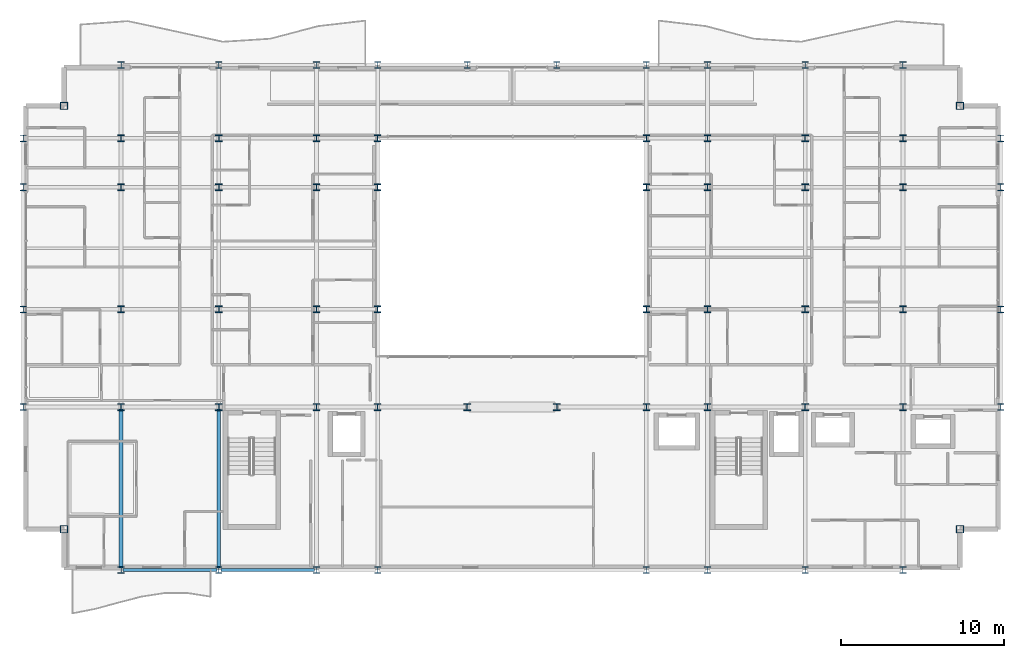
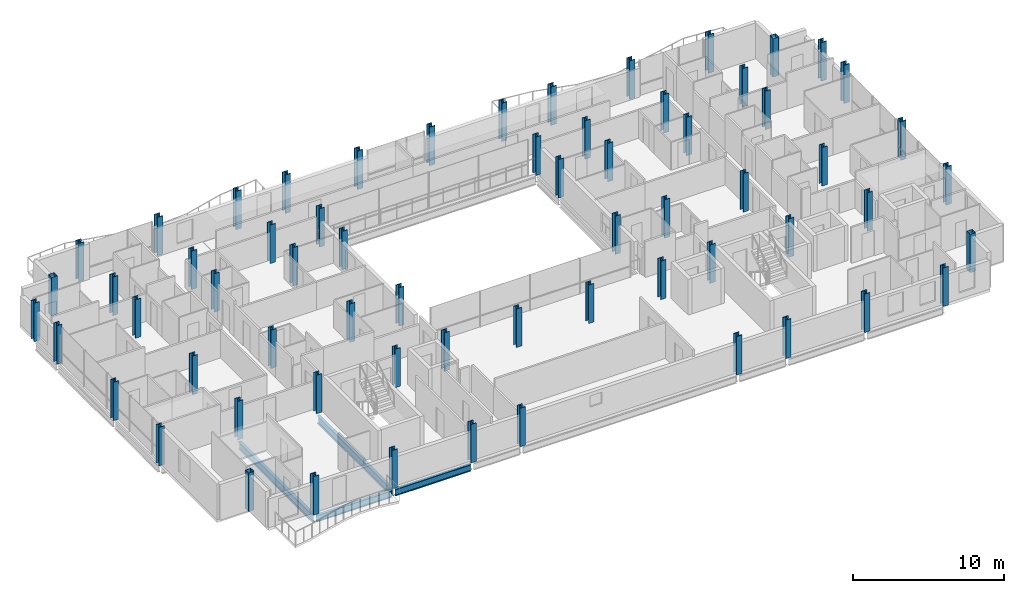
# One storey, part 1 of 41: 64 columns, 4 beams.
"""IFC4 building model written with IfcOpenShell, lengths in metres."""

from ifc_helpers import new_model, si_unit, direction, frame, origin, origin_2d, place, context, subcontext, project, spatial, hollow_rectangle, i_section, extrude, material, material_profile, profile_set, type_object, element, save


model = new_model("IFC4")

# Units and contexts
model_context = context("Model", 3, precision=1e-05, world=origin(), true_north=direction((0.0, 1.0)))
body_context = subcontext(model_context, "Body", "Model", "MODEL_VIEW")
ifc_project = project(units=[si_unit("LENGTHUNIT", "METRE"), si_unit("AREAUNIT", "SQUARE_METRE"), si_unit("VOLUMEUNIT", "CUBIC_METRE"), si_unit("PLANEANGLEUNIT", "RADIAN"), si_unit("MASSUNIT", "GRAM", prefix="KILO")], contexts=[model_context])

# Site, building, storey
site_placement = place(None, origin())
site = spatial("IfcSite", under=ifc_project, at=site_placement, CompositionType="ELEMENT")
building_placement = place(site_placement, origin())
building = spatial("IfcBuilding", under=site, at=building_placement, Name="Brevholm Reach", CompositionType="ELEMENT")
storey_placement = place(building_placement, frame((0.0, 0.0, 100.39990234375)))
storey = spatial("IfcBuildingStorey", under=building, at=storey_placement, Name="L29", CompositionType="ELEMENT", Elevation=100.39990234375)

# Columns
ifc_material_1 = material(Name="Structural Steel S460NH", Category="steel")
ifc_material_profile_1 = material_profile(ifc_material_1, hollow_rectangle(XDim=0.449951171875, YDim=0.449951171875, WallThickness=0.02490234375, InnerFilletRadius=0.011962890625, OuterFilletRadius=0.02392578125, at=origin_2d()), Name="SHS 450x450x25")
ifc_profile_set_1 = profile_set([ifc_material_profile_1], Name="Structural Steel S460NH")
column_type_1 = type_object("IfcColumnType", Name="COL-SHS1", PredefinedType="COLUMN", material=ifc_profile_set_1)
for number, where, z_axis, x_axis, name in (
    (1, (2.5, 2.5, 0.0), (0.0, 0.0, 1.0), (1.0, 0.0, 0.0), "L29 Column 05"),
    (2, (2.5, 28.5, 0.0), (0.0, 0.0, 1.0), (1.0, 0.0, 0.0), "L29 Column 06"),
    (3, (57.5, 2.5, 0.0), (0.0, 0.0, 1.0), (1.0, 0.0, 0.0), "L29 Column 59"),
    (4, (57.5, 28.5, 0.0), (0.0, 0.0, 1.0), (1.0, 0.0, 0.0), "L29 Column 60"),
):
    element("IfcColumn", number, at=place(storey_placement, frame(where, z_axis=z_axis, x_axis=x_axis)), inside=storey, type_object=column_type_1, Name=name, PredefinedType="COLUMN", context=body_context, shape_type="SweptSolid", body=[
        extrude(hollow_rectangle(XDim=0.449951171875, YDim=0.449951171875, WallThickness=0.02490234375, InnerFilletRadius=0.011962890625, OuterFilletRadius=0.02392578125, at=origin_2d()), origin(), (0.0, 0.0, 1.0), 3.10009765625),
    ])
ifc_material_2 = material(Name="Structural Steel S460ML", Category="steel")
ifc_material_profile_2 = material_profile(ifc_material_2, i_section(OverallWidth=0.412109375, OverallDepth=0.4365234375, WebThickness=0.035888671875, FlangeThickness=0.05810546875, FilletRadius=0.01513671875, at=origin_2d()), Name="UKC 356x406x467")
ifc_profile_set_2 = profile_set([ifc_material_profile_2], Name="Structural Steel S460ML")
column_type_2 = type_object("IfcColumnType", Name="COL-UC3", PredefinedType="COLUMN", material=ifc_profile_set_2)
for number, where, z_axis, x_axis, name in (
    (5, (0.0, 10.0, 0.0), (0.0, 0.0, 1.0), (1.0, 0.0, 0.0), "L29 Column 01"),
    (6, (0.0, 16.0, 0.0), (0.0, 0.0, 1.0), (1.0, 0.0, 0.0), "L29 Column 02"),
    (7, (0.0, 23.5, 0.0), (0.0, 0.0, 1.0), (1.0, 0.0, 0.0), "L29 Column 03"),
    (8, (0.0, 26.5, 0.0), (0.0, 0.0, 1.0), (1.0, 0.0, 0.0), "L29 Column 04"),
    (9, (6.0, 0.0, 0.0), (0.0, 0.0, 1.0), (1.0, 0.0, 0.0), "L29 Column 07"),
    (10, (6.0, 31.0, 0.0), (0.0, 0.0, 1.0), (1.0, 0.0, 0.0), "L29 Column 12"),
    (11, (12.0, 0.0, 0.0), (0.0, 0.0, 1.0), (1.0, 0.0, 0.0), "L29 Column 13"),
    (12, (12.0, 31.0, 0.0), (0.0, 0.0, 1.0), (1.0, 0.0, 0.0), "L29 Column 18"),
    (13, (18.0, 0.0, 0.0), (0.0, 0.0, 1.0), (1.0, 0.0, 0.0), "L29 Column 19"),
    (14, (18.0, 31.0, 0.0), (0.0, 0.0, 1.0), (1.0, 0.0, 0.0), "L29 Column 24"),
    (15, (21.75, 0.0, 0.0), (0.0, 0.0, 1.0), (1.0, 0.0, 0.0), "L29 Column 25"),
    (16, (21.75, 31.0, 0.0), (0.0, 0.0, 1.0), (1.0, 0.0, 0.0), "L29 Column 30"),
    (17, (27.25, 31.0, 0.0), (0.0, 0.0, 1.0), (1.0, 0.0, 0.0), "L29 Column 32"),
    (18, (32.75, 31.0, 0.0), (0.0, 0.0, 1.0), (1.0, 0.0, 0.0), "L29 Column 34"),
    (19, (38.25, 0.0, 0.0), (0.0, 0.0, 1.0), (1.0, 0.0, 0.0), "L29 Column 35"),
    (20, (38.25, 31.0, 0.0), (0.0, 0.0, 1.0), (1.0, 0.0, 0.0), "L29 Column 40"),
    (21, (42.0, 0.0, 0.0), (0.0, 0.0, 1.0), (1.0, 0.0, 0.0), "L29 Column 41"),
    (22, (42.0, 31.0, 0.0), (0.0, 0.0, 1.0), (1.0, 0.0, 0.0), "L29 Column 46"),
    (23, (48.0, 0.0, 0.0), (0.0, 0.0, 1.0), (1.0, 0.0, 0.0), "L29 Column 47"),
    (24, (48.0, 31.0, 0.0), (0.0, 0.0, 1.0), (1.0, 0.0, 0.0), "L29 Column 52"),
    (25, (54.0, 0.0, 0.0), (0.0, 0.0, 1.0), (1.0, 0.0, 0.0), "L29 Column 53"),
    (26, (54.0, 31.0, 0.0), (0.0, 0.0, 1.0), (1.0, 0.0, 0.0), "L29 Column 58"),
    (27, (60.0, 10.0, 0.0), (0.0, 0.0, 1.0), (1.0, 0.0, 0.0), "L29 Column 61"),
    (28, (60.0, 16.0, 0.0), (0.0, 0.0, 1.0), (1.0, 0.0, 0.0), "L29 Column 62"),
    (29, (60.0, 23.5, 0.0), (0.0, 0.0, 1.0), (1.0, 0.0, 0.0), "L29 Column 63"),
    (30, (60.0, 26.5, 0.0), (0.0, 0.0, 1.0), (1.0, 0.0, 0.0), "L29 Column 64"),
):
    element("IfcColumn", number, at=place(storey_placement, frame(where, z_axis=z_axis, x_axis=x_axis)), inside=storey, type_object=column_type_2, Name=name, PredefinedType="COLUMN", context=body_context, shape_type="SweptSolid", body=[
        extrude(i_section(OverallWidth=0.412109375, OverallDepth=0.4365234375, WebThickness=0.035888671875, FlangeThickness=0.05810546875, FilletRadius=0.01513671875, at=origin_2d()), origin(), (0.0, 0.0, 1.0), 3.10009765625),
    ])
ifc_material_3 = material(Name="Structural Steel S355J2", Category="steel")
ifc_material_profile_3 = material_profile(ifc_material_3, i_section(OverallWidth=0.406982421875, OverallDepth=0.4189453125, WebThickness=0.030517578125, FlangeThickness=0.04931640625, FilletRadius=0.01513671875, at=origin_2d()), Name="UKC 356x406x393")
ifc_profile_set_3 = profile_set([ifc_material_profile_3], Name="Structural Steel S355J2")
column_type_3 = type_object("IfcColumnType", Name="COL-UC4", PredefinedType="COLUMN", material=ifc_profile_set_3)
for number, where, z_axis, x_axis, name in (
    (31, (6.0, 10.0, 0.0), (0.0, 0.0, 1.0), (1.0, 0.0, 0.0), "L29 Column 08"),
    (32, (6.0, 16.0, 0.0), (0.0, 0.0, 1.0), (1.0, 0.0, 0.0), "L29 Column 09"),
    (33, (6.0, 23.5, 0.0), (0.0, 0.0, 1.0), (1.0, 0.0, 0.0), "L29 Column 10"),
    (34, (6.0, 26.5, 0.0), (0.0, 0.0, 1.0), (1.0, 0.0, 0.0), "L29 Column 11"),
    (35, (12.0, 10.0, 0.0), (0.0, 0.0, 1.0), (1.0, 0.0, 0.0), "L29 Column 14"),
    (36, (12.0, 16.0, 0.0), (0.0, 0.0, 1.0), (1.0, 0.0, 0.0), "L29 Column 15"),
    (37, (12.0, 23.5, 0.0), (0.0, 0.0, 1.0), (1.0, 0.0, 0.0), "L29 Column 16"),
    (38, (12.0, 26.5, 0.0), (0.0, 0.0, 1.0), (1.0, 0.0, 0.0), "L29 Column 17"),
    (39, (18.0, 10.0, 0.0), (0.0, 0.0, 1.0), (1.0, 0.0, 0.0), "L29 Column 20"),
    (40, (18.0, 16.0, 0.0), (0.0, 0.0, 1.0), (1.0, 0.0, 0.0), "L29 Column 21"),
    (41, (18.0, 23.5, 0.0), (0.0, 0.0, 1.0), (1.0, 0.0, 0.0), "L29 Column 22"),
    (42, (18.0, 26.5, 0.0), (0.0, 0.0, 1.0), (1.0, 0.0, 0.0), "L29 Column 23"),
    (43, (21.75, 10.0, 0.0), (0.0, 0.0, 1.0), (1.0, 0.0, 0.0), "L29 Column 26"),
    (44, (21.75, 16.0, 0.0), (0.0, 0.0, 1.0), (1.0, 0.0, 0.0), "L29 Column 27"),
    (45, (21.75, 23.5, 0.0), (0.0, 0.0, 1.0), (1.0, 0.0, 0.0), "L29 Column 28"),
    (46, (21.75, 26.5, 0.0), (0.0, 0.0, 1.0), (1.0, 0.0, 0.0), "L29 Column 29"),
    (47, (27.25, 10.0, 0.0), (0.0, 0.0, 1.0), (1.0, 0.0, 0.0), "L29 Column 31"),
    (48, (32.75, 10.0, 0.0), (0.0, 0.0, 1.0), (1.0, 0.0, 0.0), "L29 Column 33"),
    (49, (38.25, 10.0, 0.0), (0.0, 0.0, 1.0), (1.0, 0.0, 0.0), "L29 Column 36"),
    (50, (38.25, 16.0, 0.0), (0.0, 0.0, 1.0), (1.0, 0.0, 0.0), "L29 Column 37"),
    (51, (38.25, 23.5, 0.0), (0.0, 0.0, 1.0), (1.0, 0.0, 0.0), "L29 Column 38"),
    (52, (38.25, 26.5, 0.0), (0.0, 0.0, 1.0), (1.0, 0.0, 0.0), "L29 Column 39"),
    (53, (42.0, 10.0, 0.0), (0.0, 0.0, 1.0), (1.0, 0.0, 0.0), "L29 Column 42"),
    (54, (42.0, 16.0, 0.0), (0.0, 0.0, 1.0), (1.0, 0.0, 0.0), "L29 Column 43"),
    (55, (42.0, 23.5, 0.0), (0.0, 0.0, 1.0), (1.0, 0.0, 0.0), "L29 Column 44"),
    (56, (42.0, 26.5, 0.0), (0.0, 0.0, 1.0), (1.0, 0.0, 0.0), "L29 Column 45"),
    (57, (48.0, 10.0, 0.0), (0.0, 0.0, 1.0), (1.0, 0.0, 0.0), "L29 Column 48"),
    (58, (48.0, 16.0, 0.0), (0.0, 0.0, 1.0), (1.0, 0.0, 0.0), "L29 Column 49"),
    (59, (48.0, 23.5, 0.0), (0.0, 0.0, 1.0), (1.0, 0.0, 0.0), "L29 Column 50"),
    (60, (48.0, 26.5, 0.0), (0.0, 0.0, 1.0), (1.0, 0.0, 0.0), "L29 Column 51"),
    (61, (54.0, 10.0, 0.0), (0.0, 0.0, 1.0), (1.0, 0.0, 0.0), "L29 Column 54"),
    (62, (54.0, 16.0, 0.0), (0.0, 0.0, 1.0), (1.0, 0.0, 0.0), "L29 Column 55"),
    (63, (54.0, 23.5, 0.0), (0.0, 0.0, 1.0), (1.0, 0.0, 0.0), "L29 Column 56"),
    (64, (54.0, 26.5, 0.0), (0.0, 0.0, 1.0), (1.0, 0.0, 0.0), "L29 Column 57"),
):
    element("IfcColumn", number, at=place(storey_placement, frame(where, z_axis=z_axis, x_axis=x_axis)), inside=storey, type_object=column_type_3, Name=name, PredefinedType="COLUMN", context=body_context, shape_type="SweptSolid", body=[
        extrude(i_section(OverallWidth=0.406982421875, OverallDepth=0.4189453125, WebThickness=0.030517578125, FlangeThickness=0.04931640625, FilletRadius=0.01513671875, at=origin_2d()), origin(), (0.0, 0.0, 1.0), 3.10009765625),
    ])

# Beams
ifc_material_4 = material(Name="Structural Steel S355J2", Category="steel")
ifc_material_profile_4 = material_profile(ifc_material_4, i_section(OverallWidth=0.209228515625, OverallDepth=0.533203125, WebThickness=0.010009765625, FlangeThickness=0.015625, FilletRadius=0.0126953125, at=origin_2d()), Name="UKB 533x210x92")
ifc_profile_set_4 = profile_set([ifc_material_profile_4], Name="Structural Steel S355J2")
beam_type_1 = type_object("IfcBeamType", Name="BM-SP533", PredefinedType="SPANDREL", material=ifc_profile_set_4)
for number, where, z_axis, x_axis, name in (
    (65, (6.1201171875, 0.0, -0.486572265625), (1.0, 0.0, 0.0), (0.0, 1.0, 0.0), "L29 SP-02 Framing Beam"),
    (66, (12.1201171875, 0.0, -0.486572265625), (1.0, 0.0, 0.0), (0.0, 1.0, 0.0), "L29 SP-02 Framing Beam"),
):
    element("IfcBeam", number, at=place(storey_placement, frame(where, z_axis=z_axis, x_axis=x_axis)), inside=storey, type_object=beam_type_1, Name=name, PredefinedType="SPANDREL", context=body_context, shape_type="SweptSolid", body=[
        extrude(i_section(OverallWidth=0.209228515625, OverallDepth=0.533203125, WebThickness=0.010009765625, FlangeThickness=0.015625, FilletRadius=0.0126953125, at=origin_2d()), origin(), (0.0, 0.0, 1.0), 5.759765625),
    ])
ifc_material_5 = material(Name="Structural Steel S355J2", Category="steel")
ifc_material_profile_5 = material_profile(ifc_material_5, i_section(OverallWidth=0.22900390625, OverallDepth=0.6123046875, WebThickness=0.011962890625, FlangeThickness=0.01953125, FilletRadius=0.0126953125, at=origin_2d()), Name="UKB 610x229x125")
ifc_profile_set_5 = profile_set([ifc_material_profile_5], Name="Structural Steel S355J2")
beam_type_2 = type_object("IfcBeamType", Name="BM-SP610", PredefinedType="SPANDREL", material=ifc_profile_set_5)
for number, where, z_axis, x_axis, name in (
    (67, (6.0, 0.1201171875, -0.526123046875), (0.0, 1.0, 0.0), (-1.0, 0.0, 0.0), "L29 SP-01 Framing Beam"),
    (68, (12.0, 0.1201171875, -0.526123046875), (0.0, 1.0, 0.0), (-1.0, 0.0, 0.0), "L29 SP-01 Framing Beam"),
):
    element("IfcBeam", number, at=place(storey_placement, frame(where, z_axis=z_axis, x_axis=x_axis)), inside=storey, type_object=beam_type_2, Name=name, PredefinedType="SPANDREL", context=body_context, shape_type="SweptSolid", body=[
        extrude(i_section(OverallWidth=0.22900390625, OverallDepth=0.6123046875, WebThickness=0.011962890625, FlangeThickness=0.01953125, FilletRadius=0.0126953125, at=origin_2d()), origin(), (0.0, 0.0, 1.0), 9.759765625),
    ])

save(model, "model.ifc")
